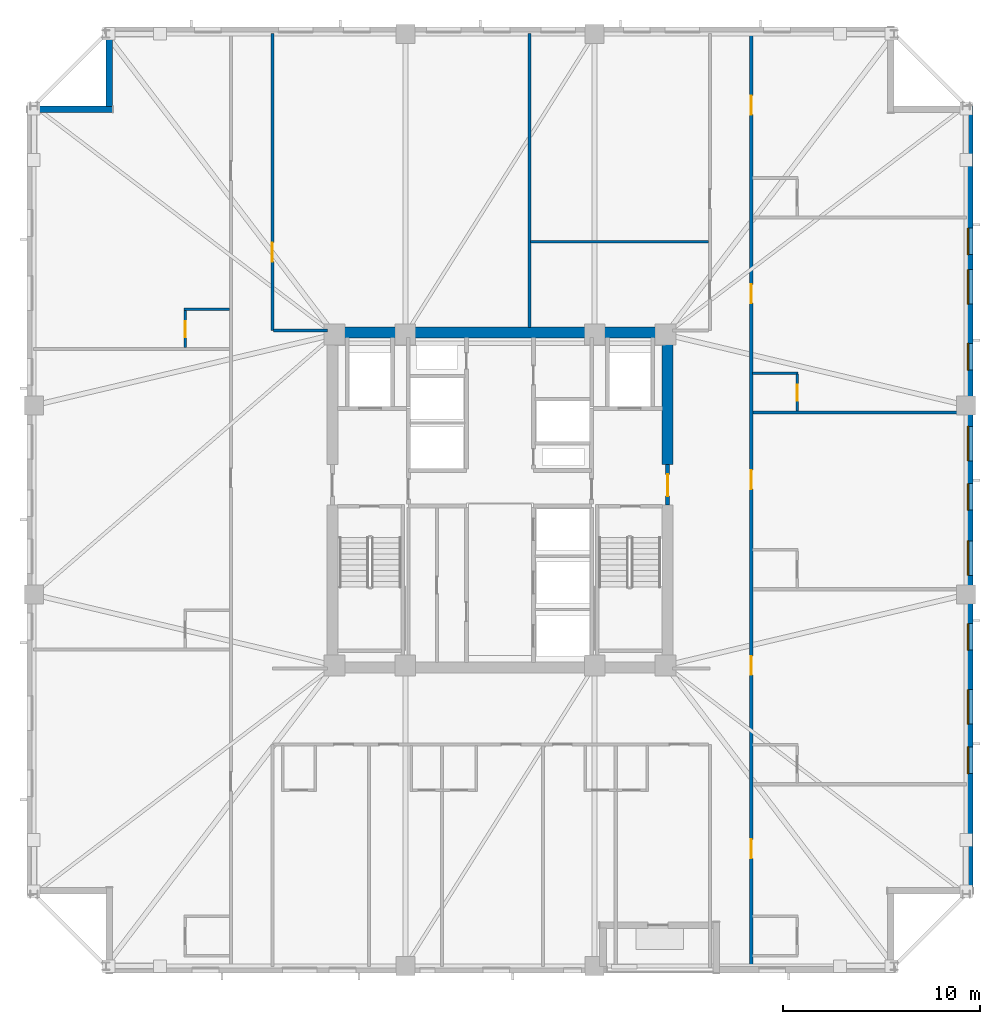
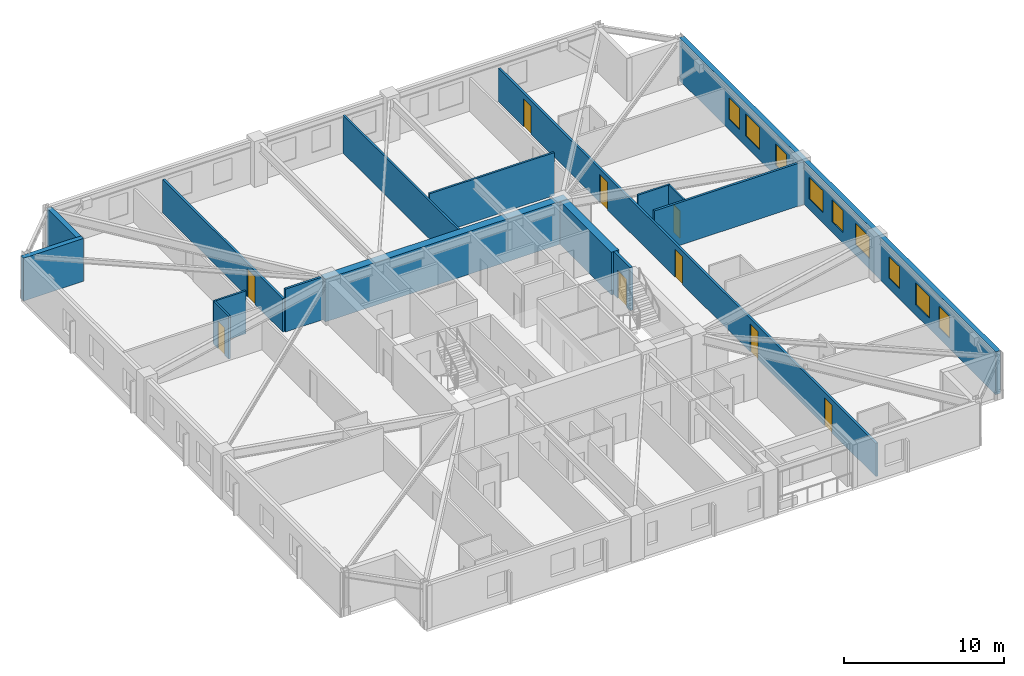
# One storey, part 5 of 11: 16 walls, 9 doors, 9 windows, 18 openings.
"""IFC4 building model written with IfcOpenShell, lengths in metres."""

from ifc_helpers import new_model, si_unit, direction, frame, frame_2d, origin, place, context, subcontext, project, spatial, rectangle, extrude, material, layer, layer_set, type_object, element, fill, save


model = new_model("IFC4")

# Units and contexts
model_context = context("Model", 3, precision=1e-05, world=origin(), true_north=direction((0.0, 1.0)))
body_context = subcontext(model_context, "Body", "Model", "MODEL_VIEW")
ifc_project = project(units=[si_unit("LENGTHUNIT", "METRE"), si_unit("AREAUNIT", "SQUARE_METRE"), si_unit("VOLUMEUNIT", "CUBIC_METRE"), si_unit("PLANEANGLEUNIT", "RADIAN"), si_unit("MASSUNIT", "GRAM", prefix="KILO")], contexts=[model_context])

# Site, building, storey
site_placement = place(None, origin())
site = spatial("IfcSite", under=ifc_project, at=site_placement, CompositionType="ELEMENT")
building_placement = place(site_placement, origin())
building = spatial("IfcBuilding", under=site, at=building_placement, Name="Cairnveth Concourse Tower", CompositionType="ELEMENT")
storey_placement = place(building_placement, frame((0.0, 0.0, 162.0)))
storey = spatial("IfcBuildingStorey", under=building, at=storey_placement, Name="L44", CompositionType="ELEMENT", Elevation=162.0)

# Wall, opening, door
ifc_material_1 = material(Name="Gypsum Plasterboard Partition", Category="gypsum")
ifc_layer_1 = layer(ifc_material_1, 0.159912109375)
ifc_layer_set_1 = layer_set([ifc_layer_1], Name="Gypsum Plasterboard Partition")
wall_type_1 = type_object("IfcWallType", Name="ACOUSTIC PARTY WALL 180", PredefinedType="PARTITIONING", material=ifc_layer_set_1)
wall_1_placement = place(storey_placement, frame((40.449951171875, 47.60009765625, 0.0), z_axis=(0.0, 0.0, 1.0), x_axis=(0.0, 1.0, 0.0)))
wall_1 = element("IfcWall", 1, at=wall_1_placement, inside=storey, type_object=wall_type_1, Name="Interior Wall IW-L44-038", PredefinedType="PARTITIONING", context=body_context, shape_type="SweptSolid", body=[
    extrude(rectangle(XDim=15.074951171875, YDim=0.159912109375, at=frame_2d((7.53759765625, 0.0))), origin(), (0.0, 0.0, 1.0), 2.554931640625),
])
opening_1_placement = place(wall_1_placement, frame((3.5, 0.0, 0.0)))
opening_1 = element("IfcOpeningElement", 2, at=opening_1_placement, cuts=wall_1, Name="Opening ID11", PredefinedType="OPENING", context=body_context, shape_type="SweptSolid", body=[
    extrude(rectangle(XDim=0.9599609375, YDim=2.1201171875, at=frame_2d((0.47998046875, 1.06005859375))), frame((0.0, 0.08984375, 0.0), z_axis=(0.0, -1.0, 0.0), x_axis=(1.0, 0.0, 0.0)), (0.0, 0.0, 1.0), 0.179931640625),
])
ifc_material_2 = material(Name="Solid Core Hardwood Timber Leaf", Category="wood")
door_type_1 = type_object("IfcDoorType", Name="INTERIOR SINGLE DOOR 960X2150", OperationType="NOTDEFINED", PredefinedType="DOOR", material=ifc_material_2)
door_1_placement = place(opening_1_placement, origin())
door_1 = element("IfcDoor", 3, at=door_1_placement, inside=storey, type_object=door_type_1, Name="Interior Door DR-L44-015", OperationType="SINGLE_SWING_LEFT", OverallHeight=2.1201171875, OverallWidth=0.9599609375, PredefinedType="DOOR", context=body_context, shape_type="SweptSolid", body=[
    extrude(rectangle(XDim=0.9599609375, YDim=2.1201171875, at=frame_2d((0.47998046875, 1.06005859375))), frame((0.0, 0.02490234375, 0.0), z_axis=(0.0, -1.0, 0.0), x_axis=(1.0, 0.0, 0.0)), (0.0, 0.0, 1.0), 0.050048828125),
])
fill(opening_1, door_1)

# Wall
wall_2_placement = place(storey_placement, frame((40.514892578125, 47.60009765625, 0.0), z_axis=(0.0, 0.0, 1.0), x_axis=(1.0, 0.0, 0.0)))
element("IfcWall", 4, at=wall_2_placement, inside=storey, type_object=wall_type_1, Name="Interior Wall IW-L44-040", PredefinedType="PARTITIONING", context=body_context, shape_type="SweptSolid", body=[
    extrude(rectangle(XDim=2.72021484375, YDim=0.159912109375, at=frame_2d((1.360107421875, 0.0))), origin(), (0.0, 0.0, 1.0), 3.280029296875),
])

# Wall, openings, doors
wall_3_placement = place(storey_placement, frame((64.75, 15.324951171875, 0.0), z_axis=(0.0, 0.0, 1.0), x_axis=(0.0, 1.0, 0.0)))
wall_3 = element("IfcWall", 5, at=wall_3_placement, inside=storey, type_object=wall_type_1, Name="Interior Wall IW-L44-041", PredefinedType="PARTITIONING", context=body_context, shape_type="SweptSolid", body=[
    extrude(rectangle(XDim=47.35009765625, YDim=0.159912109375, at=frame_2d((23.675048828125, 0.0))), origin(), (0.0, 0.0, 1.0), 2.554931640625),
])
opening_2_placement = place(wall_3_placement, frame((5.49365234375, 0.0, 0.0)))
opening_2 = element("IfcOpeningElement", 6, at=opening_2_placement, cuts=wall_3, Name="Opening ID09", PredefinedType="OPENING", context=body_context, shape_type="SweptSolid", body=[
    extrude(rectangle(XDim=0.9599609375, YDim=2.14990234375, at=frame_2d((0.47998046875, 1.074951171875))), frame((0.0, 0.08984375, 0.0), z_axis=(0.0, -1.0, 0.0), x_axis=(1.0, 0.0, 0.0)), (0.0, 0.0, 1.0), 0.179931640625),
])
opening_3_placement = place(wall_3_placement, frame((14.795654296875, 0.0, 0.0)))
opening_3 = element("IfcOpeningElement", 7, at=opening_3_placement, cuts=wall_3, Name="Opening ID09", PredefinedType="OPENING", context=body_context, shape_type="SweptSolid", body=[
    extrude(rectangle(XDim=0.9599609375, YDim=2.14990234375, at=frame_2d((0.47998046875, 1.074951171875))), frame((0.0, 0.08984375, 0.0), z_axis=(0.0, -1.0, 0.0), x_axis=(1.0, 0.0, 0.0)), (0.0, 0.0, 1.0), 0.179931640625),
])
opening_4_placement = place(wall_3_placement, frame((24.227783203125, 0.0, 0.0)))
opening_4 = element("IfcOpeningElement", 8, at=opening_4_placement, cuts=wall_3, Name="Opening ID09", PredefinedType="OPENING", context=body_context, shape_type="SweptSolid", body=[
    extrude(rectangle(XDim=0.9599609375, YDim=2.14990234375, at=frame_2d((0.47998046875, 1.074951171875))), frame((0.0, 0.08984375, 0.0), z_axis=(0.0, -1.0, 0.0), x_axis=(1.0, 0.0, 0.0)), (0.0, 0.0, 1.0), 0.179931640625),
])
opening_5_placement = place(wall_3_placement, frame((33.659912109375, 0.0, 0.0)))
opening_5 = element("IfcOpeningElement", 9, at=opening_5_placement, cuts=wall_3, Name="Opening ID09", PredefinedType="OPENING", context=body_context, shape_type="SweptSolid", body=[
    extrude(rectangle(XDim=0.9599609375, YDim=2.14990234375, at=frame_2d((0.47998046875, 1.074951171875))), frame((0.0, 0.08984375, 0.0), z_axis=(0.0, -1.0, 0.0), x_axis=(1.0, 0.0, 0.0)), (0.0, 0.0, 1.0), 0.179931640625),
])
opening_6_placement = place(wall_3_placement, frame((43.22900390625, 0.0, 0.0)))
opening_6 = element("IfcOpeningElement", 10, at=opening_6_placement, cuts=wall_3, Name="Opening ID09", PredefinedType="OPENING", context=body_context, shape_type="SweptSolid", body=[
    extrude(rectangle(XDim=0.9599609375, YDim=2.14990234375, at=frame_2d((0.47998046875, 1.074951171875))), frame((0.0, 0.08984375, 0.0), z_axis=(0.0, -1.0, 0.0), x_axis=(1.0, 0.0, 0.0)), (0.0, 0.0, 1.0), 0.179931640625),
])
door_type_2 = type_object("IfcDoorType", Name="HOTEL ENTRANCE DOOR 960X2150", OperationType="NOTDEFINED", PredefinedType="DOOR", material=ifc_material_2)
door_2_placement = place(opening_2_placement, origin())
door_2 = element("IfcDoor", 11, at=door_2_placement, inside=storey, type_object=door_type_2, Name="Hotel Room Door L44-E1", OperationType="SINGLE_SWING_LEFT", OverallHeight=2.14990234375, OverallWidth=0.9599609375, PredefinedType="DOOR", context=body_context, shape_type="SweptSolid", body=[
    extrude(rectangle(XDim=0.9599609375, YDim=2.14990234375, at=frame_2d((0.47998046875, 1.074951171875))), frame((0.0, 0.02490234375, 0.0), z_axis=(0.0, -1.0, 0.0), x_axis=(1.0, 0.0, 0.0)), (0.0, 0.0, 1.0), 0.050048828125),
])
fill(opening_2, door_2)
door_3_placement = place(opening_3_placement, origin())
door_3 = element("IfcDoor", 12, at=door_3_placement, inside=storey, type_object=door_type_2, Name="Hotel Room Door L44-E2", OperationType="SINGLE_SWING_LEFT", OverallHeight=2.14990234375, OverallWidth=0.9599609375, PredefinedType="DOOR", context=body_context, shape_type="SweptSolid", body=[
    extrude(rectangle(XDim=0.9599609375, YDim=2.14990234375, at=frame_2d((0.47998046875, 1.074951171875))), frame((0.0, 0.02490234375, 0.0), z_axis=(0.0, -1.0, 0.0), x_axis=(1.0, 0.0, 0.0)), (0.0, 0.0, 1.0), 0.050048828125),
])
fill(opening_3, door_3)
door_4_placement = place(opening_4_placement, origin())
door_4 = element("IfcDoor", 13, at=door_4_placement, inside=storey, type_object=door_type_2, Name="Hotel Room Door L44-E3", OperationType="SINGLE_SWING_LEFT", OverallHeight=2.14990234375, OverallWidth=0.9599609375, PredefinedType="DOOR", context=body_context, shape_type="SweptSolid", body=[
    extrude(rectangle(XDim=0.9599609375, YDim=2.14990234375, at=frame_2d((0.47998046875, 1.074951171875))), frame((0.0, 0.02490234375, 0.0), z_axis=(0.0, -1.0, 0.0), x_axis=(1.0, 0.0, 0.0)), (0.0, 0.0, 1.0), 0.050048828125),
])
fill(opening_4, door_4)
door_5_placement = place(opening_5_placement, origin())
door_5 = element("IfcDoor", 14, at=door_5_placement, inside=storey, type_object=door_type_2, Name="Hotel Room Door L44-E4", OperationType="SINGLE_SWING_LEFT", OverallHeight=2.14990234375, OverallWidth=0.9599609375, PredefinedType="DOOR", context=body_context, shape_type="SweptSolid", body=[
    extrude(rectangle(XDim=0.9599609375, YDim=2.14990234375, at=frame_2d((0.47998046875, 1.074951171875))), frame((0.0, 0.02490234375, 0.0), z_axis=(0.0, -1.0, 0.0), x_axis=(1.0, 0.0, 0.0)), (0.0, 0.0, 1.0), 0.050048828125),
])
fill(opening_5, door_5)
door_6_placement = place(opening_6_placement, origin())
door_6 = element("IfcDoor", 15, at=door_6_placement, inside=storey, type_object=door_type_2, Name="Hotel Room Door L44-E5", OperationType="SINGLE_SWING_LEFT", OverallHeight=2.14990234375, OverallWidth=0.9599609375, PredefinedType="DOOR", context=body_context, shape_type="SweptSolid", body=[
    extrude(rectangle(XDim=0.9599609375, YDim=2.14990234375, at=frame_2d((0.47998046875, 1.074951171875))), frame((0.0, 0.02490234375, 0.0), z_axis=(0.0, -1.0, 0.0), x_axis=(1.0, 0.0, 0.0)), (0.0, 0.0, 1.0), 0.050048828125),
])
fill(opening_6, door_6)

# Walls
wall_4_placement = place(storey_placement, frame((64.830078125, 43.44140625, 0.0), z_axis=(0.0, 0.0, 1.0), x_axis=(1.0, 0.0, 0.0)))
element("IfcWall", 16, at=wall_4_placement, inside=storey, type_object=wall_type_1, Name="Interior Wall IW-L44-082", PredefinedType="PARTITIONING", context=body_context, shape_type="SweptSolid", body=[
    extrude(rectangle(XDim=10.844970703125, YDim=0.159912109375, at=frame_2d((5.42236328125, 0.0))), origin(), (0.0, 0.0, 1.0), 3.280029296875),
])
ifc_material_3 = material(Name="Concrete N80 (80 MPa)", Category="concrete")
ifc_layer_2 = layer(ifc_material_3, 0.550048828125)
ifc_layer_set_2 = layer_set([ifc_layer_2], Name="Concrete N80 (80 MPa)")
wall_type_2 = type_object("IfcWallType", Name="CORE SHEAR WALL 550", PredefinedType="SHEAR", material=ifc_layer_set_2)
wall_5_placement = place(storey_placement, frame((43.22509765625, 47.5, 0.0), z_axis=(0.0, 0.0, 1.0), x_axis=(1.0, 0.0, 0.0)))
element("IfcWall", 17, at=wall_5_placement, inside=storey, type_object=wall_type_2, Name="Core North Shear Wall L44", PredefinedType="SHEAR", context=body_context, shape_type="SweptSolid", body=[
    extrude(rectangle(XDim=17.5498046875, YDim=0.550048828125, at=frame_2d((8.77490234375, 0.0))), origin(), (0.0, 0.0, 1.0), 3.280029296875),
])
wall_6_placement = place(storey_placement, frame((60.5, 40.800048828125, 0.0), z_axis=(0.0, 0.0, 1.0), x_axis=(0.0, 1.0, 0.0)))
element("IfcWall", 18, at=wall_6_placement, inside=storey, type_object=wall_type_2, Name="Core East Shear Wall N L44", PredefinedType="SHEAR", context=body_context, shape_type="SweptSolid", body=[
    extrude(rectangle(XDim=6.43505859375, YDim=0.550048828125, at=frame_2d((3.217529296875, 0.0))), origin(), (0.0, 0.0, 1.0), 3.280029296875),
])

# Wall, opening, door
ifc_material_4 = material(Name="Concrete N50 (50 MPa)", Category="concrete")
ifc_layer_3 = layer(ifc_material_4, 0.199951171875)
ifc_layer_set_3 = layer_set([ifc_layer_3], Name="Concrete N50 (50 MPa)")
wall_type_3 = type_object("IfcWallType", Name="FIRE SHAFT WALL 200", PredefinedType="SOLIDWALL", material=ifc_layer_set_3)
wall_7_placement = place(storey_placement, frame((60.5, 38.75, 0.0), z_axis=(0.0, 0.0, 1.0), x_axis=(0.0, 1.0, 0.0)))
wall_7 = element("IfcWall", 19, at=wall_7_placement, inside=storey, type_object=wall_type_3, Name="Interior Wall IW-L44-020", PredefinedType="SOLIDWALL", context=body_context, shape_type="SweptSolid", body=[
    extrude(rectangle(XDim=2.050048828125, YDim=0.199951171875, at=frame_2d((1.02490234375, 0.0))), origin(), (0.0, 0.0, 1.0), 3.280029296875),
])
opening_7_placement = place(wall_7_placement, frame((0.449951171875, 0.0, 0.0)))
opening_7 = element("IfcOpeningElement", 20, at=opening_7_placement, cuts=wall_7, Name="Opening ID06", PredefinedType="OPENING", context=body_context, shape_type="SweptSolid", body=[
    extrude(rectangle(XDim=1.10009765625, YDim=2.14990234375, at=frame_2d((0.550048828125, 1.074951171875))), frame((0.0, 0.10986328125, 0.0), z_axis=(0.0, -1.0, 0.0), x_axis=(1.0, 0.0, 0.0)), (0.0, 0.0, 1.0), 0.219970703125),
])
ifc_material_5 = material(Name="Steel Grade 350", Category="steel")
door_type_3 = type_object("IfcDoorType", Name="FIRE CORRIDOR DOOR 1100X2150", OperationType="NOTDEFINED", PredefinedType="DOOR", material=ifc_material_5)
door_7_placement = place(opening_7_placement, origin())
door_7 = element("IfcDoor", 21, at=door_7_placement, inside=storey, type_object=door_type_3, Name="East Wing to FF Lobby Door L44", OperationType="SINGLE_SWING_RIGHT", OverallHeight=2.14990234375, OverallWidth=1.10009765625, PredefinedType="DOOR", context=body_context, shape_type="SweptSolid", body=[
    extrude(rectangle(XDim=1.10009765625, YDim=2.14990234375, at=frame_2d((0.550048828125, 1.074951171875))), frame((0.0, 0.02490234375, 0.0), z_axis=(0.0, -1.0, 0.0), x_axis=(1.0, 0.0, 0.0)), (0.0, 0.0, 1.0), 0.050048828125),
])
fill(opening_7, door_7)

# Walls
ifc_layer_4 = layer(ifc_material_1, 0.139892578125)
ifc_layer_set_4 = layer_set([ifc_layer_4], Name="Gypsum Plasterboard Partition")
wall_type_4 = type_object("IfcWallType", Name="GYPSUM STUD PARTITION 140", PredefinedType="PARTITIONING", material=ifc_layer_set_4)
wall_8_placement = place(storey_placement, frame((53.5, 47.760009765625, 0.0), z_axis=(0.0, 0.0, 1.0), x_axis=(0.0, 1.0, 0.0)))
element("IfcWall", 22, at=wall_8_placement, inside=storey, type_object=wall_type_4, Name="Interior Wall IW-L44-047", PredefinedType="PARTITIONING", context=body_context, shape_type="SweptSolid", body=[
    extrude(rectangle(XDim=14.9150390625, YDim=0.139892578125, at=frame_2d((7.45751953125, 0.0))), origin(), (0.0, 0.0, 1.0), 2.89599609375),
])
wall_9_placement = place(storey_placement, frame((53.554931640625, 52.10009765625, 0.0), z_axis=(0.0, 0.0, 1.0), x_axis=(1.0, 0.0, 0.0)))
element("IfcWall", 23, at=wall_9_placement, inside=storey, type_object=wall_type_4, Name="Interior Wall IW-L44-048", PredefinedType="PARTITIONING", context=body_context, shape_type="SweptSolid", body=[
    extrude(rectangle(XDim=9.030029296875, YDim=0.139892578125, at=frame_2d((4.51513671875, 0.0))), origin(), (0.0, 0.0, 1.0), 3.280029296875),
])
ifc_layer_5 = layer(ifc_material_1, 0.1298828125)
ifc_layer_set_5 = layer_set([ifc_layer_5], Name="Gypsum Plasterboard Partition")
wall_type_5 = type_object("IfcWallType", Name="WET AREA PARTITION 140", PredefinedType="PLUMBINGWALL", material=ifc_layer_set_5)
wall_10_placement = place(storey_placement, frame((35.969970703125, 48.669921875, 0.0), z_axis=(0.0, 0.0, 1.0), x_axis=(1.0, 0.0, 0.0)))
element("IfcWall", 24, at=wall_10_placement, inside=storey, type_object=wall_type_5, Name="Interior Wall IW-L44-071", PredefinedType="PLUMBINGWALL", context=body_context, shape_type="SweptSolid", body=[
    extrude(rectangle(XDim=2.31494140625, YDim=0.1298828125, at=frame_2d((1.157470703125, 0.0))), origin(), (0.0, 0.0, 1.0), 3.280029296875),
])

# Wall, opening, door
wall_11_placement = place(storey_placement, frame((36.02001953125, 46.73486328125, 0.0), z_axis=(0.0, 0.0, 1.0), x_axis=(0.0, 1.0, 0.0)))
wall_11 = element("IfcWall", 25, at=wall_11_placement, inside=storey, type_object=wall_type_5, Name="Interior Wall IW-L44-072", PredefinedType="PLUMBINGWALL", context=body_context, shape_type="SweptSolid", body=[
    extrude(rectangle(XDim=1.885009765625, YDim=0.1298828125, at=frame_2d((0.9423828125, 0.0))), origin(), (0.0, 0.0, 1.0), 3.280029296875),
])
opening_8_placement = place(wall_11_placement, frame((0.52490234375, 0.0, 0.0)))
opening_8 = element("IfcOpeningElement", 26, at=opening_8_placement, cuts=wall_11, Name="Opening ID22", PredefinedType="OPENING", context=body_context, shape_type="SweptSolid", body=[
    extrude(rectangle(XDim=0.820068359375, YDim=2.10009765625, at=frame_2d((0.41015625, 1.050048828125))), frame((0.0, 0.074951171875, 0.0), z_axis=(0.0, -1.0, 0.0), x_axis=(1.0, 0.0, 0.0)), (0.0, 0.0, 1.0), 0.14990234375),
])
door_type_4 = type_object("IfcDoorType", Name="INTERIOR WC DOOR 820X2100", OperationType="NOTDEFINED", PredefinedType="DOOR", material=ifc_material_2)
door_8_placement = place(opening_8_placement, origin())
door_8 = element("IfcDoor", 27, at=door_8_placement, inside=storey, type_object=door_type_4, Name="En-Suite Door L44-W3", OperationType="SINGLE_SWING_RIGHT", OverallHeight=2.10009765625, OverallWidth=0.820068359375, PredefinedType="DOOR", context=body_context, shape_type="SweptSolid", body=[
    extrude(rectangle(XDim=0.820068359375, YDim=2.10009765625, at=frame_2d((0.41015625, 1.050048828125))), frame((0.0, 0.02490234375, 0.0), z_axis=(0.0, -1.0, 0.0), x_axis=(1.0, 0.0, 0.0)), (0.0, 0.0, 1.0), 0.050048828125),
])
fill(opening_8, door_8)

# Wall
wall_12_placement = place(storey_placement, frame((64.81494140625, 45.44140625, 0.0), z_axis=(0.0, 0.0, 1.0), x_axis=(1.0, 0.0, 0.0)))
element("IfcWall", 28, at=wall_12_placement, inside=storey, type_object=wall_type_5, Name="Interior Wall IW-L44-083", PredefinedType="PLUMBINGWALL", context=body_context, shape_type="SweptSolid", body=[
    extrude(rectangle(XDim=2.31494140625, YDim=0.1298828125, at=frame_2d((1.157470703125, 0.0))), origin(), (0.0, 0.0, 1.0), 3.280029296875),
])

# Wall, opening, door
wall_13_placement = place(storey_placement, frame((67.080078125, 43.50634765625, 0.0), z_axis=(0.0, 0.0, 1.0), x_axis=(0.0, 1.0, 0.0)))
wall_13 = element("IfcWall", 29, at=wall_13_placement, inside=storey, type_object=wall_type_5, Name="Interior Wall IW-L44-084", PredefinedType="PLUMBINGWALL", context=body_context, shape_type="SweptSolid", body=[
    extrude(rectangle(XDim=1.885009765625, YDim=0.1298828125, at=frame_2d((0.9423828125, 0.0))), origin(), (0.0, 0.0, 1.0), 3.280029296875),
])
opening_9_placement = place(wall_13_placement, frame((0.52490234375, 0.0, 0.0)))
opening_9 = element("IfcOpeningElement", 30, at=opening_9_placement, cuts=wall_13, Name="Opening ID22", PredefinedType="OPENING", context=body_context, shape_type="SweptSolid", body=[
    extrude(rectangle(XDim=0.820068359375, YDim=2.10009765625, at=frame_2d((0.41015625, 1.050048828125))), frame((0.0, 0.074951171875, 0.0), z_axis=(0.0, -1.0, 0.0), x_axis=(1.0, 0.0, 0.0)), (0.0, 0.0, 1.0), 0.14990234375),
])
door_9_placement = place(opening_9_placement, origin())
door_9 = element("IfcDoor", 31, at=door_9_placement, inside=storey, type_object=door_type_4, Name="En-Suite Door L44-E4", OperationType="SINGLE_SWING_RIGHT", OverallHeight=2.10009765625, OverallWidth=0.820068359375, PredefinedType="DOOR", context=body_context, shape_type="SweptSolid", body=[
    extrude(rectangle(XDim=0.820068359375, YDim=2.10009765625, at=frame_2d((0.41015625, 1.050048828125))), frame((0.0, 0.02490234375, 0.0), z_axis=(0.0, -1.0, 0.0), x_axis=(1.0, 0.0, 0.0)), (0.0, 0.0, 1.0), 0.050048828125),
])
fill(opening_9, door_9)

# Walls
ifc_material_6 = material(Name="Hawthorn Red-Ochre Fired Clay Brick Masonry", Category="masonry")
ifc_layer_6 = layer(ifc_material_6, 0.340087890625)
ifc_layer_set_6 = layer_set([ifc_layer_6], Name="Hawthorn Red-Ochre Fired Clay Brick Masonry")
wall_type_6 = type_object("IfcWallType", Name="ZONE 2 BRICK PIER SPANDREL WALL 340", PredefinedType="SOLIDWALL", material=ifc_layer_set_6)
wall_14_placement = place(storey_placement, frame((28.0, 58.830078125, 0.0), z_axis=(0.0, 0.0, 1.0), x_axis=(1.0, 0.0, 0.0)))
element("IfcWall", 32, at=wall_14_placement, inside=storey, type_object=wall_type_6, Name="Exterior Wall EW-L44-S04", PredefinedType="SOLIDWALL", context=body_context, shape_type="SweptSolid", body=[
    extrude(rectangle(XDim=4.340087890625, YDim=0.340087890625, at=frame_2d((2.169921875, 0.0))), origin(), (0.0, 0.0, 1.0), 3.280029296875),
])
wall_15_placement = place(storey_placement, frame((32.169921875, 58.97802734375, 0.0), z_axis=(0.0, 0.0, 1.0), x_axis=(0.0, 1.0, 0.0)))
element("IfcWall", 33, at=wall_15_placement, inside=storey, type_object=wall_type_6, Name="Exterior Wall EW-L44-S05", PredefinedType="SOLIDWALL", context=body_context, shape_type="SweptSolid", body=[
    extrude(rectangle(XDim=3.703857421875, YDim=0.340087890625, at=frame_2d((1.85205078125, 0.0))), origin(), (0.0, 0.0, 1.0), 3.280029296875),
])

# Wall, openings, windows
wall_16_placement = place(storey_placement, frame((75.830078125, 59.0, 0.0), z_axis=(0.0, 0.0, 1.0), x_axis=(0.0, -1.0, 0.0)))
wall_16 = element("IfcWall", 34, at=wall_16_placement, inside=storey, type_object=wall_type_6, Name="Exterior Wall EW-L44-S09", PredefinedType="SOLIDWALL", context=body_context, shape_type="SweptSolid", body=[
    extrude(rectangle(XDim=39.681884765625, YDim=0.340087890625, at=frame_2d((19.8408203125, 0.0))), origin(), (0.0, 0.0, 1.0), 3.280029296875),
])
opening_10_placement = place(wall_16_placement, frame((6.201904296875, 0.0, 0.800048828125)))
opening_10 = element("IfcOpeningElement", 35, at=opening_10_placement, cuts=wall_16, Name="Opening W02", PredefinedType="OPENING", context=body_context, shape_type="SweptSolid", body=[
    extrude(rectangle(XDim=1.35009765625, YDim=1.659912109375, at=frame_2d((0.675048828125, 0.830078125))), frame((0.0, 0.179931640625, 0.0), z_axis=(0.0, -1.0, 0.0), x_axis=(1.0, 0.0, 0.0)), (0.0, 0.0, 1.0), 0.360107421875),
])
opening_11_placement = place(wall_16_placement, frame((8.305419921875, 0.0, 0.800048828125)))
opening_11 = element("IfcOpeningElement", 36, at=opening_11_placement, cuts=wall_16, Name="Opening W06", PredefinedType="OPENING", context=body_context, shape_type="SweptSolid", body=[
    extrude(rectangle(XDim=1.75, YDim=1.659912109375, at=frame_2d((0.875, 0.830078125))), frame((0.0, 0.179931640625, 0.0), z_axis=(0.0, -1.0, 0.0), x_axis=(1.0, 0.0, 0.0)), (0.0, 0.0, 1.0), 0.360107421875),
])
opening_12_placement = place(wall_16_placement, frame((12.058837890625, 0.0, 0.800048828125)))
opening_12 = element("IfcOpeningElement", 37, at=opening_12_placement, cuts=wall_16, Name="Opening W02", PredefinedType="OPENING", context=body_context, shape_type="SweptSolid", body=[
    extrude(rectangle(XDim=1.35009765625, YDim=1.659912109375, at=frame_2d((0.675048828125, 0.830078125))), frame((0.0, 0.179931640625, 0.0), z_axis=(0.0, -1.0, 0.0), x_axis=(1.0, 0.0, 0.0)), (0.0, 0.0, 1.0), 0.360107421875),
])
opening_13_placement = place(wall_16_placement, frame((16.262451171875, 0.0, 0.800048828125)))
opening_13 = element("IfcOpeningElement", 38, at=opening_13_placement, cuts=wall_16, Name="Opening W06", PredefinedType="OPENING", context=body_context, shape_type="SweptSolid", body=[
    extrude(rectangle(XDim=1.75, YDim=1.659912109375, at=frame_2d((0.875, 0.830078125))), frame((0.0, 0.179931640625, 0.0), z_axis=(0.0, -1.0, 0.0), x_axis=(1.0, 0.0, 0.0)), (0.0, 0.0, 1.0), 0.360107421875),
])
opening_14_placement = place(wall_16_placement, frame((19.166015625, 0.0, 0.800048828125)))
opening_14 = element("IfcOpeningElement", 39, at=opening_14_placement, cuts=wall_16, Name="Opening W02", PredefinedType="OPENING", context=body_context, shape_type="SweptSolid", body=[
    extrude(rectangle(XDim=1.35009765625, YDim=1.659912109375, at=frame_2d((0.675048828125, 0.830078125))), frame((0.0, 0.179931640625, 0.0), z_axis=(0.0, -1.0, 0.0), x_axis=(1.0, 0.0, 0.0)), (0.0, 0.0, 1.0), 0.360107421875),
])
opening_15_placement = place(wall_16_placement, frame((22.069580078125, 0.0, 0.800048828125)))
opening_15 = element("IfcOpeningElement", 40, at=opening_15_placement, cuts=wall_16, Name="Opening W06", PredefinedType="OPENING", context=body_context, shape_type="SweptSolid", body=[
    extrude(rectangle(XDim=1.75, YDim=1.659912109375, at=frame_2d((0.875, 0.830078125))), frame((0.0, 0.179931640625, 0.0), z_axis=(0.0, -1.0, 0.0), x_axis=(1.0, 0.0, 0.0)), (0.0, 0.0, 1.0), 0.360107421875),
])
opening_16_placement = place(wall_16_placement, frame((26.273193359375, 0.0, 0.800048828125)))
opening_16 = element("IfcOpeningElement", 41, at=opening_16_placement, cuts=wall_16, Name="Opening W02", PredefinedType="OPENING", context=body_context, shape_type="SweptSolid", body=[
    extrude(rectangle(XDim=1.35009765625, YDim=1.659912109375, at=frame_2d((0.675048828125, 0.830078125))), frame((0.0, 0.179931640625, 0.0), z_axis=(0.0, -1.0, 0.0), x_axis=(1.0, 0.0, 0.0)), (0.0, 0.0, 1.0), 0.360107421875),
])
opening_17_placement = place(wall_16_placement, frame((29.626708984375, 0.0, 0.800048828125)))
opening_17 = element("IfcOpeningElement", 42, at=opening_17_placement, cuts=wall_16, Name="Opening W06", PredefinedType="OPENING", context=body_context, shape_type="SweptSolid", body=[
    extrude(rectangle(XDim=1.75, YDim=1.659912109375, at=frame_2d((0.875, 0.830078125))), frame((0.0, 0.179931640625, 0.0), z_axis=(0.0, -1.0, 0.0), x_axis=(1.0, 0.0, 0.0)), (0.0, 0.0, 1.0), 0.360107421875),
])
opening_18_placement = place(wall_16_placement, frame((32.5302734375, 0.0, 0.800048828125)))
opening_18 = element("IfcOpeningElement", 43, at=opening_18_placement, cuts=wall_16, Name="Opening W02", PredefinedType="OPENING", context=body_context, shape_type="SweptSolid", body=[
    extrude(rectangle(XDim=1.35009765625, YDim=1.659912109375, at=frame_2d((0.675048828125, 0.830078125))), frame((0.0, 0.179931640625, 0.0), z_axis=(0.0, -1.0, 0.0), x_axis=(1.0, 0.0, 0.0)), (0.0, 0.0, 1.0), 0.360107421875),
])
ifc_material_7 = material(Name="Double Glazed Low-E Clear Glass", Category="glass")
window_type_1 = type_object("IfcWindowType", Name="DEEP-SET GOTHIC LANCET WINDOW 1350X1800", PartitioningType="DOUBLE_PANEL_VERTICAL", PredefinedType="WINDOW", material=ifc_material_7)
window_1_placement = place(opening_10_placement, origin())
window_1 = element("IfcWindow", 44, at=window_1_placement, inside=storey, type_object=window_type_1, Name="Gothic Lancet Window L44-9-1", OverallHeight=1.659912109375, OverallWidth=1.35009765625, PartitioningType="SINGLE_PANEL", PredefinedType="WINDOW", context=body_context, shape_type="SweptSolid", body=[
    extrude(rectangle(XDim=1.35009765625, YDim=1.659912109375, at=frame_2d((0.675048828125, 0.830078125))), frame((0.0, -0.050048828125, 0.0), z_axis=(0.0, -1.0, 0.0), x_axis=(1.0, 0.0, 0.0)), (0.0, 0.0, 1.0), 0.06005859375),
])
fill(opening_10, window_1)
window_2_placement = place(opening_12_placement, origin())
window_2 = element("IfcWindow", 45, at=window_2_placement, inside=storey, type_object=window_type_1, Name="Gothic Lancet Window L44-9-3", OverallHeight=1.659912109375, OverallWidth=1.35009765625, PartitioningType="SINGLE_PANEL", PredefinedType="WINDOW", context=body_context, shape_type="SweptSolid", body=[
    extrude(rectangle(XDim=1.35009765625, YDim=1.659912109375, at=frame_2d((0.675048828125, 0.830078125))), frame((0.0, -0.050048828125, 0.0), z_axis=(0.0, -1.0, 0.0), x_axis=(1.0, 0.0, 0.0)), (0.0, 0.0, 1.0), 0.06005859375),
])
fill(opening_12, window_2)
window_3_placement = place(opening_14_placement, origin())
window_3 = element("IfcWindow", 46, at=window_3_placement, inside=storey, type_object=window_type_1, Name="Gothic Lancet Window L44-9-5", OverallHeight=1.659912109375, OverallWidth=1.35009765625, PartitioningType="SINGLE_PANEL", PredefinedType="WINDOW", context=body_context, shape_type="SweptSolid", body=[
    extrude(rectangle(XDim=1.35009765625, YDim=1.659912109375, at=frame_2d((0.675048828125, 0.830078125))), frame((0.0, -0.050048828125, 0.0), z_axis=(0.0, -1.0, 0.0), x_axis=(1.0, 0.0, 0.0)), (0.0, 0.0, 1.0), 0.06005859375),
])
fill(opening_14, window_3)
window_4_placement = place(opening_16_placement, origin())
window_4 = element("IfcWindow", 47, at=window_4_placement, inside=storey, type_object=window_type_1, Name="Gothic Lancet Window L44-9-7", OverallHeight=1.659912109375, OverallWidth=1.35009765625, PartitioningType="SINGLE_PANEL", PredefinedType="WINDOW", context=body_context, shape_type="SweptSolid", body=[
    extrude(rectangle(XDim=1.35009765625, YDim=1.659912109375, at=frame_2d((0.675048828125, 0.830078125))), frame((0.0, -0.050048828125, 0.0), z_axis=(0.0, -1.0, 0.0), x_axis=(1.0, 0.0, 0.0)), (0.0, 0.0, 1.0), 0.06005859375),
])
fill(opening_16, window_4)
window_5_placement = place(opening_18_placement, origin())
window_5 = element("IfcWindow", 48, at=window_5_placement, inside=storey, type_object=window_type_1, Name="Gothic Lancet Window L44-9-9", OverallHeight=1.659912109375, OverallWidth=1.35009765625, PartitioningType="SINGLE_PANEL", PredefinedType="WINDOW", context=body_context, shape_type="SweptSolid", body=[
    extrude(rectangle(XDim=1.35009765625, YDim=1.659912109375, at=frame_2d((0.675048828125, 0.830078125))), frame((0.0, -0.050048828125, 0.0), z_axis=(0.0, -1.0, 0.0), x_axis=(1.0, 0.0, 0.0)), (0.0, 0.0, 1.0), 0.06005859375),
])
fill(opening_18, window_5)
window_type_2 = type_object("IfcWindowType", Name="DEEP-SET HOTEL SUITE WINDOW 1750X1800", PartitioningType="DOUBLE_PANEL_VERTICAL", PredefinedType="WINDOW", material=ifc_material_7)
window_6_placement = place(opening_11_placement, origin())
window_6 = element("IfcWindow", 49, at=window_6_placement, inside=storey, type_object=window_type_2, Name="Gothic Lancet Window L44-9-2", OverallHeight=1.659912109375, OverallWidth=1.75, PartitioningType="SINGLE_PANEL", PredefinedType="WINDOW", context=body_context, shape_type="SweptSolid", body=[
    extrude(rectangle(XDim=1.75, YDim=1.659912109375, at=frame_2d((0.875, 0.830078125))), frame((0.0, -0.050048828125, 0.0), z_axis=(0.0, -1.0, 0.0), x_axis=(1.0, 0.0, 0.0)), (0.0, 0.0, 1.0), 0.06005859375),
])
fill(opening_11, window_6)
window_7_placement = place(opening_13_placement, origin())
window_7 = element("IfcWindow", 50, at=window_7_placement, inside=storey, type_object=window_type_2, Name="Gothic Lancet Window L44-9-4", OverallHeight=1.659912109375, OverallWidth=1.75, PartitioningType="SINGLE_PANEL", PredefinedType="WINDOW", context=body_context, shape_type="SweptSolid", body=[
    extrude(rectangle(XDim=1.75, YDim=1.659912109375, at=frame_2d((0.875, 0.830078125))), frame((0.0, -0.050048828125, 0.0), z_axis=(0.0, -1.0, 0.0), x_axis=(1.0, 0.0, 0.0)), (0.0, 0.0, 1.0), 0.06005859375),
])
fill(opening_13, window_7)
window_8_placement = place(opening_15_placement, origin())
window_8 = element("IfcWindow", 51, at=window_8_placement, inside=storey, type_object=window_type_2, Name="Gothic Lancet Window L44-9-6", OverallHeight=1.659912109375, OverallWidth=1.75, PartitioningType="SINGLE_PANEL", PredefinedType="WINDOW", context=body_context, shape_type="SweptSolid", body=[
    extrude(rectangle(XDim=1.75, YDim=1.659912109375, at=frame_2d((0.875, 0.830078125))), frame((0.0, -0.050048828125, 0.0), z_axis=(0.0, -1.0, 0.0), x_axis=(1.0, 0.0, 0.0)), (0.0, 0.0, 1.0), 0.06005859375),
])
fill(opening_15, window_8)
window_9_placement = place(opening_17_placement, origin())
window_9 = element("IfcWindow", 52, at=window_9_placement, inside=storey, type_object=window_type_2, Name="Gothic Lancet Window L44-9-8", OverallHeight=1.659912109375, OverallWidth=1.75, PartitioningType="SINGLE_PANEL", PredefinedType="WINDOW", context=body_context, shape_type="SweptSolid", body=[
    extrude(rectangle(XDim=1.75, YDim=1.659912109375, at=frame_2d((0.875, 0.830078125))), frame((0.0, -0.050048828125, 0.0), z_axis=(0.0, -1.0, 0.0), x_axis=(1.0, 0.0, 0.0)), (0.0, 0.0, 1.0), 0.06005859375),
])
fill(opening_17, window_9)

save(model, "model.ifc")
